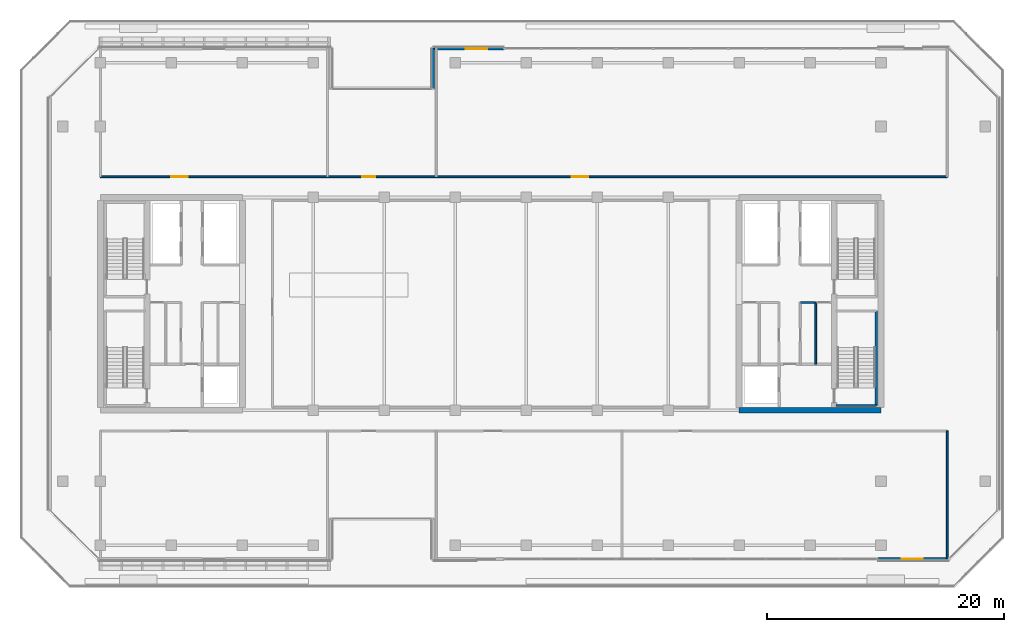
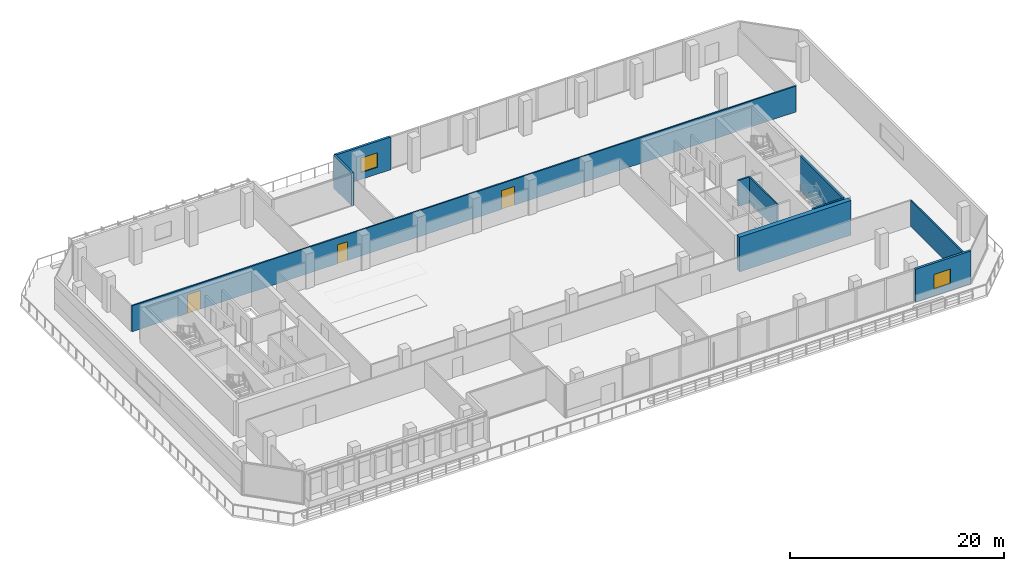
# One storey, part 23 of 30: 10 walls, 3 doors, 2 windows, 5 openings.
"""IFC4 building model written with IfcOpenShell, lengths in metres."""

from ifc_helpers import new_model, si_unit, direction, frame, frame_2d, origin, place, context, subcontext, project, spatial, rectangle, extrude, material, layer, layer_set, type_object, element, fill, save


model = new_model("IFC4")

# Units and contexts
model_context = context("Model", 3, precision=1e-05, world=origin(), true_north=direction((0.0, 1.0)))
body_context = subcontext(model_context, "Body", "Model", "MODEL_VIEW")
ifc_project = project(units=[si_unit("LENGTHUNIT", "METRE"), si_unit("AREAUNIT", "SQUARE_METRE"), si_unit("VOLUMEUNIT", "CUBIC_METRE"), si_unit("PLANEANGLEUNIT", "RADIAN"), si_unit("MASSUNIT", "GRAM", prefix="KILO")], contexts=[model_context])

# Site, building, storey
site_placement = place(None, origin())
site = spatial("IfcSite", under=ifc_project, at=site_placement, CompositionType="ELEMENT")
building_placement = place(site_placement, origin())
building = spatial("IfcBuilding", under=site, at=building_placement, Name="Tanjung Sevakor Pilgrim Tower", CompositionType="ELEMENT")
storey_placement = place(building_placement, frame((0.0, 0.0, 128.0400390625)))
storey = spatial("IfcBuildingStorey", under=building, at=storey_placement, Name="L35", CompositionType="ELEMENT", Elevation=128.0400390625)

# Walls
ifc_material_1 = material(Name="Concrete C60/75", Category="concrete")
ifc_layer_1 = layer(ifc_material_1, 0.5)
ifc_layer_set_1 = layer_set([ifc_layer_1], Name="WALL-CW-500")
wall_type_1 = type_object("IfcWallType", Name="WALL-CW-500", PredefinedType="SHEAR", material=ifc_layer_set_1)
wall_1_placement = place(storey_placement, frame((78.0, 24.60009765625, 0.0), z_axis=(0.0, 0.0, 1.0), x_axis=(1.0, 0.0, 0.0)))
element("IfcWall", 1, at=wall_1_placement, inside=storey, type_object=wall_type_1, Name="L35 E Core South Shear Wall", PredefinedType="SHEAR", context=body_context, shape_type="SweptSolid", body=[
    extrude(rectangle(XDim=12.0, YDim=0.5, at=frame_2d((6.0, 0.0))), origin(), (0.0, 0.0, 1.0), 3.9599609375),
])
ifc_material_2 = material(Name="Concrete C40/50", Category="concrete")
ifc_layer_2 = layer(ifc_material_2, 0.14990234375)
ifc_layer_set_2 = layer_set([ifc_layer_2], Name="WT-COMP-150")
wall_type_2 = type_object("IfcWallType", Name="WT-COMP-150", PredefinedType="SOLIDWALL", material=ifc_layer_set_2)
wall_2_placement = place(storey_placement, frame((84.47998046875, 28.5, 0.0), z_axis=(0.0, 0.0, 1.0), x_axis=(0.0, 1.0, 0.0)))
element("IfcWall", 2, at=wall_2_placement, inside=storey, type_object=wall_type_2, Name="L35 Partition IW-L35-017", PredefinedType="SOLIDWALL", context=body_context, shape_type="SweptSolid", body=[
    extrude(rectangle(XDim=5.219970703125, YDim=0.14990234375, at=frame_2d((2.60986328125, 0.0))), origin(), (0.0, 0.0, 1.0), 2.9599609375),
])
wall_3_placement = place(storey_placement, frame((83.199951171875, 33.719970703125, 0.0), z_axis=(0.0, 0.0, 1.0), x_axis=(1.0, 0.0, 0.0)))
element("IfcWall", 3, at=wall_3_placement, inside=storey, type_object=wall_type_2, Name="L35 Partition IW-L35-019", PredefinedType="SOLIDWALL", context=body_context, shape_type="SweptSolid", body=[
    extrude(rectangle(XDim=1.219970703125, YDim=0.14990234375, at=frame_2d((0.60986328125, 0.0))), origin(), (0.0, 0.0, 1.0), 2.9599609375),
])
wall_4_placement = place(storey_placement, frame((95.60009765625, 12.0, 0.0), z_axis=(0.0, 0.0, 1.0), x_axis=(0.0, 1.0, 0.0)))
element("IfcWall", 4, at=wall_4_placement, inside=storey, type_object=wall_type_2, Name="L35 Partition IW-L35-037", PredefinedType="SOLIDWALL", context=body_context, shape_type="SweptSolid", body=[
    extrude(rectangle(XDim=10.85009765625, YDim=0.14990234375, at=frame_2d((5.425048828125, 0.0))), origin(), (0.0, 0.0, 1.0), 2.9599609375),
])

# Wall, openings, doors
wall_5_placement = place(storey_placement, frame((24.0, 44.35009765625, 0.0), z_axis=(0.0, 0.0, 1.0), x_axis=(1.0, 0.0, 0.0)))
wall_5 = element("IfcWall", 5, at=wall_5_placement, inside=storey, type_object=wall_type_2, Name="L35 Partition IW-L35-043", PredefinedType="SOLIDWALL", context=body_context, shape_type="SweptSolid", body=[
    extrude(rectangle(XDim=71.60009765625, YDim=0.14990234375, at=frame_2d((35.800048828125, 0.0))), origin(), (0.0, 0.0, 1.0), 2.9599609375),
])
opening_1_placement = place(wall_5_placement, frame((6.0, 0.0, 0.0)))
opening_1 = element("IfcOpeningElement", 6, at=opening_1_placement, cuts=wall_5, Name="Opening ID-HD1", PredefinedType="OPENING", context=body_context, shape_type="SweptSolid", body=[
    extrude(rectangle(XDim=1.39990234375, YDim=2.14990234375, at=frame_2d((0.699951171875, 1.074951171875))), frame((0.0, 0.0849609375, 0.0), z_axis=(0.0, -1.0, 0.0), x_axis=(1.0, 0.0, 0.0)), (0.0, 0.0, 1.0), 0.169921875),
])
opening_2_placement = place(wall_5_placement, frame((22.14990234375, 0.0, 0.0)))
opening_2 = element("IfcOpeningElement", 7, at=opening_2_placement, cuts=wall_5, Name="Opening ID-RM2", PredefinedType="OPENING", context=body_context, shape_type="SweptSolid", body=[
    extrude(rectangle(XDim=1.10009765625, YDim=2.14990234375, at=frame_2d((0.550048828125, 1.074951171875))), frame((0.0, 0.0849609375, 0.0), z_axis=(0.0, -1.0, 0.0), x_axis=(1.0, 0.0, 0.0)), (0.0, 0.0, 1.0), 0.169921875),
])
opening_3_placement = place(wall_5_placement, frame((39.85009765625, 0.0, 0.0)))
opening_3 = element("IfcOpeningElement", 8, at=opening_3_placement, cuts=wall_5, Name="Opening ID-HD1", PredefinedType="OPENING", context=body_context, shape_type="SweptSolid", body=[
    extrude(rectangle(XDim=1.39990234375, YDim=2.14990234375, at=frame_2d((0.699951171875, 1.074951171875))), frame((0.0, 0.0849609375, 0.0), z_axis=(0.0, -1.0, 0.0), x_axis=(1.0, 0.0, 0.0)), (0.0, 0.0, 1.0), 0.169921875),
])
ifc_material_3 = material(Name="Hardwood Timber", Category="wood")
door_type_1 = type_object("IfcDoorType", Name="DT-INT-1100", OperationType="NOTDEFINED", PredefinedType="DOOR", material=ifc_material_3)
door_1_placement = place(opening_2_placement, origin())
door_1 = element("IfcDoor", 9, at=door_1_placement, inside=storey, type_object=door_type_1, Name="L35 Sky Prayer Door", OperationType="SINGLE_SWING_LEFT", OverallHeight=2.14990234375, OverallWidth=1.10009765625, PredefinedType="DOOR", context=body_context, shape_type="SweptSolid", body=[
    extrude(rectangle(XDim=1.10009765625, YDim=2.14990234375, at=frame_2d((0.550048828125, 1.074951171875))), frame((0.0, 0.02490234375, 0.0), z_axis=(0.0, -1.0, 0.0), x_axis=(1.0, 0.0, 0.0)), (0.0, 0.0, 1.0), 0.050048828125),
])
fill(opening_2, door_1)
ifc_material_4 = material(Name="Hardwood Timber", Category="wood")
door_type_2 = type_object("IfcDoorType", Name="DT-INT-1400", OperationType="DOUBLE_DOOR_SINGLE_SWING", PredefinedType="DOOR", material=ifc_material_4)
door_2_placement = place(opening_1_placement, origin())
door_2 = element("IfcDoor", 10, at=door_2_placement, inside=storey, type_object=door_type_2, Name="L35 Sky Seminar Door", OperationType="SINGLE_SWING_RIGHT", OverallHeight=2.14990234375, OverallWidth=1.39990234375, PredefinedType="DOOR", context=body_context, shape_type="SweptSolid", body=[
    extrude(rectangle(XDim=1.39990234375, YDim=2.14990234375, at=frame_2d((0.699951171875, 1.074951171875))), frame((0.0, 0.02490234375, 0.0), z_axis=(0.0, -1.0, 0.0), x_axis=(1.0, 0.0, 0.0)), (0.0, 0.0, 1.0), 0.050048828125),
])
fill(opening_1, door_2)
door_3_placement = place(opening_3_placement, origin())
door_3 = element("IfcDoor", 11, at=door_3_placement, inside=storey, type_object=door_type_2, Name="L35 Sky Reading Door", OperationType="SINGLE_SWING_RIGHT", OverallHeight=2.14990234375, OverallWidth=1.39990234375, PredefinedType="DOOR", context=body_context, shape_type="SweptSolid", body=[
    extrude(rectangle(XDim=1.39990234375, YDim=2.14990234375, at=frame_2d((0.699951171875, 1.074951171875))), frame((0.0, 0.02490234375, 0.0), z_axis=(0.0, -1.0, 0.0), x_axis=(1.0, 0.0, 0.0)), (0.0, 0.0, 1.0), 0.050048828125),
])
fill(opening_3, door_3)

# Wall, opening, window
ifc_material_5 = material(Name="Precast concrete C45/55", Category="concrete")
ifc_layer_3 = layer(ifc_material_5, 0.25)
ifc_layer_set_3 = layer_set([ifc_layer_3], Name="WT-EW-STN3")
wall_type_3 = type_object("IfcWallType", Name="WT-EW-STN3", PredefinedType="SOLIDWALL", material=ifc_layer_set_3)
wall_6_placement = place(storey_placement, frame((89.748291015625, 12.02490234375, 0.0), z_axis=(0.0, 0.0, 1.0), x_axis=(1.0, 0.0, 0.0)))
wall_6 = element("IfcWall", 12, at=wall_6_placement, inside=storey, type_object=wall_type_3, Name="L35 Sky Lobby Wall S2", PredefinedType="SOLIDWALL", context=body_context, shape_type="SweptSolid", body=[
    extrude(rectangle(XDim=6.0, YDim=0.25, at=frame_2d((3.0, 0.0))), origin(), (0.0, 0.0, 1.0), 3.739990234375),
])
opening_4_placement = place(wall_6_placement, frame((1.98583984375, 0.0, 0.780029296875)))
opening_4 = element("IfcOpeningElement", 13, at=opening_4_placement, cuts=wall_6, Name="Opening WN-Z3-1660", PredefinedType="OPENING", context=body_context, shape_type="SweptSolid", body=[
    extrude(rectangle(XDim=1.800048828125, YDim=1.659912109375, at=frame_2d((0.89990234375, 0.830078125))), frame((0.0, 0.135009765625, 0.0), z_axis=(0.0, -1.0, 0.0), x_axis=(1.0, 0.0, 0.0)), (0.0, 0.0, 1.0), 0.27001953125),
])
ifc_material_6 = material(Name="Thermally Broken Aluminium and Low-E Glass", Category="aluminium")
window_type = type_object("IfcWindowType", Name="WTYP-WN-Z3-1660", PartitioningType="DOUBLE_PANEL_VERTICAL", PredefinedType="WINDOW", material=ifc_material_6)
window_1_placement = place(opening_4_placement, origin())
window_1 = element("IfcWindow", 14, at=window_1_placement, inside=storey, type_object=window_type, Name="L35 Facade Window 01", OverallHeight=1.659912109375, OverallWidth=1.800048828125, PartitioningType="SINGLE_PANEL", PredefinedType="WINDOW", context=body_context, shape_type="SweptSolid", body=[
    extrude(rectangle(XDim=1.800048828125, YDim=1.659912109375, at=frame_2d((0.89990234375, 0.830078125))), frame((0.0, 0.030029296875, 0.0), z_axis=(0.0, -1.0, 0.0), x_axis=(1.0, 0.0, 0.0)), (0.0, 0.0, 1.0), 0.06005859375),
])
fill(opening_4, window_1)

wall_7_placement = place(storey_placement, frame((58.125, 55.175048828125, 0.0), z_axis=(0.0, 0.0, 1.0), x_axis=(-1.0, 0.0, 0.0)))
wall_7 = element("IfcWall", 15, at=wall_7_placement, inside=storey, type_object=wall_type_3, Name="L35 Sky Lobby Wall N2", PredefinedType="SOLIDWALL", context=body_context, shape_type="SweptSolid", body=[
    extrude(rectangle(XDim=6.0, YDim=0.25, at=frame_2d((3.0, 0.0))), origin(), (0.0, 0.0, 1.0), 3.739990234375),
])
opening_5_placement = place(wall_7_placement, frame((1.4326171875, 0.0, 0.780029296875)))
opening_5 = element("IfcOpeningElement", 16, at=opening_5_placement, cuts=wall_7, Name="Opening WN-Z3-1660", PredefinedType="OPENING", context=body_context, shape_type="SweptSolid", body=[
    extrude(rectangle(XDim=1.800048828125, YDim=1.659912109375, at=frame_2d((0.89990234375, 0.830078125))), frame((0.0, 0.135009765625, 0.0), z_axis=(0.0, -1.0, 0.0), x_axis=(1.0, 0.0, 0.0)), (0.0, 0.0, 1.0), 0.27001953125),
])
window_2_placement = place(opening_5_placement, origin())
window_2 = element("IfcWindow", 17, at=window_2_placement, inside=storey, type_object=window_type, Name="L35 Facade Window 01", OverallHeight=1.659912109375, OverallWidth=1.800048828125, PartitioningType="SINGLE_PANEL", PredefinedType="WINDOW", context=body_context, shape_type="SweptSolid", body=[
    extrude(rectangle(XDim=1.800048828125, YDim=1.659912109375, at=frame_2d((0.89990234375, 0.830078125))), frame((0.0, 0.030029296875, 0.0), z_axis=(0.0, -1.0, 0.0), x_axis=(1.0, 0.0, 0.0)), (0.0, 0.0, 1.0), 0.06005859375),
])
fill(opening_5, window_2)

# Walls
wall_8_placement = place(storey_placement, frame((52.125, 55.175048828125, 0.0), z_axis=(0.0, 0.0, 1.0), x_axis=(0.0, -1.0, 0.0)))
element("IfcWall", 18, at=wall_8_placement, inside=storey, type_object=wall_type_3, Name="L35 MAIN Exterior Wall 10", PredefinedType="SOLIDWALL", context=body_context, shape_type="SweptSolid", body=[
    extrude(rectangle(XDim=3.400146484375, YDim=0.25, at=frame_2d((1.7001953125, 0.0))), origin(), (0.0, 0.0, 1.0), 3.739990234375),
])
ifc_material_7 = material(Name="Concrete C40/50", Category="concrete")
ifc_layer_4 = layer(ifc_material_7, 0.199951171875)
ifc_layer_set_4 = layer_set([ifc_layer_4], Name="WT-FIRE-200")
wall_type_4 = type_object("IfcWallType", Name="WT-FIRE-200", PredefinedType="SOLIDWALL", material=ifc_layer_set_4)
wall_9_placement = place(storey_placement, frame((86.199951171875, 25.0, 0.0), z_axis=(0.0, 0.0, 1.0), x_axis=(1.0, 0.0, 0.0)))
element("IfcWall", 19, at=wall_9_placement, inside=storey, type_object=wall_type_4, Name="L35 TS-E1 Shaft Wall 1", PredefinedType="SOLIDWALL", context=body_context, shape_type="SweptSolid", body=[
    extrude(rectangle(XDim=3.400146484375, YDim=0.199951171875, at=frame_2d((1.7001953125, 0.0))), origin(), (0.0, 0.0, 1.0), 3.9599609375),
])
wall_10_placement = place(storey_placement, frame((89.60009765625, 25.0, 0.0), z_axis=(0.0, 0.0, 1.0), x_axis=(0.0, 1.0, 0.0)))
element("IfcWall", 20, at=wall_10_placement, inside=storey, type_object=wall_type_4, Name="L35 TS-E1 Shaft Wall 2", PredefinedType="SOLIDWALL", context=body_context, shape_type="SweptSolid", body=[
    extrude(rectangle(XDim=8.0, YDim=0.199951171875, at=frame_2d((4.0, 0.0))), origin(), (0.0, 0.0, 1.0), 3.9599609375),
])

save(model, "model.ifc")
